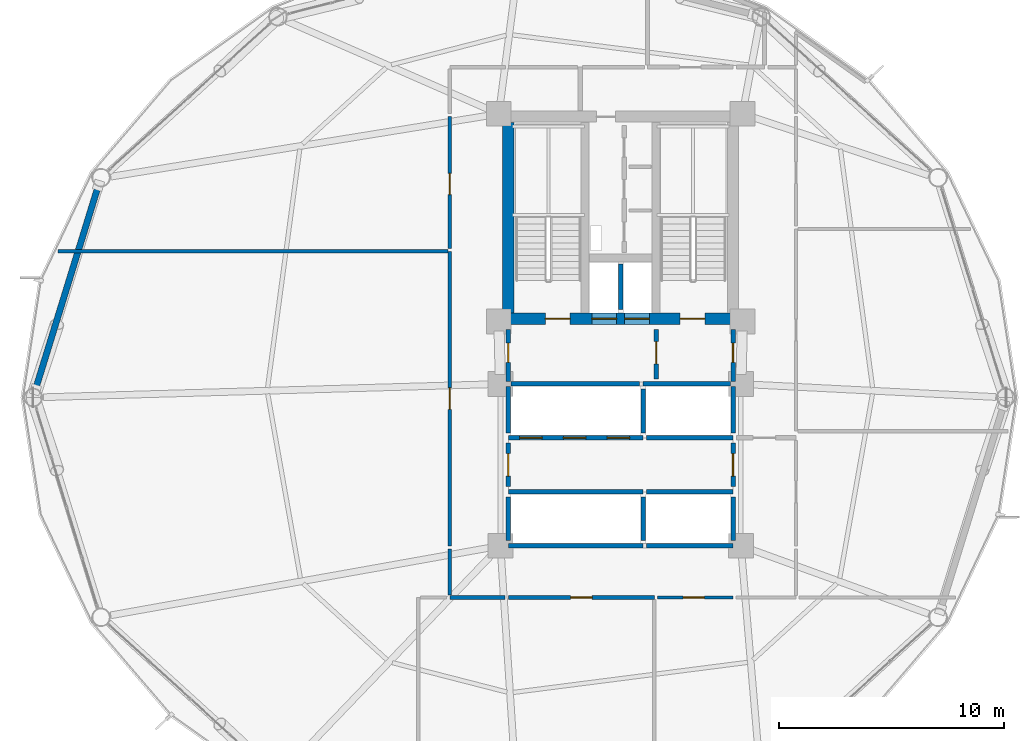
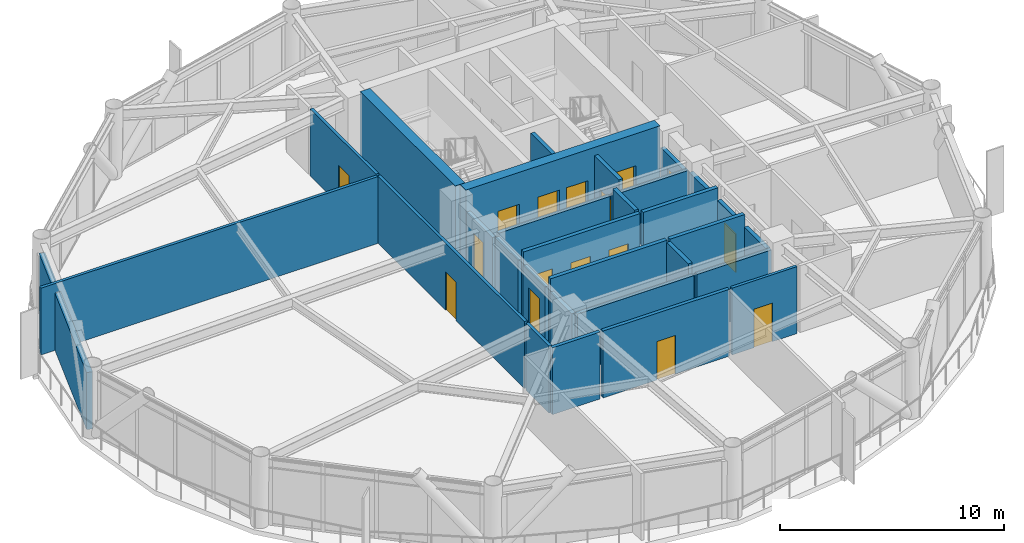
# One storey, part 20 of 25: 30 walls, 16 doors, 16 openings.
"""IFC4 building model written with IfcOpenShell, lengths in metres."""

from ifc_helpers import new_model, si_unit, direction, frame, frame_2d, origin, place, context, subcontext, project, spatial, rectangle, extrude, material, layer, layer_set, type_object, element, fill, save


model = new_model("IFC4")

# Units and contexts
model_context = context("Model", 3, precision=1e-05, world=origin(), true_north=direction((0.0, 1.0)))
body_context = subcontext(model_context, "Body", "Model", "MODEL_VIEW")
ifc_project = project(units=[si_unit("LENGTHUNIT", "METRE"), si_unit("AREAUNIT", "SQUARE_METRE"), si_unit("VOLUMEUNIT", "CUBIC_METRE"), si_unit("PLANEANGLEUNIT", "RADIAN"), si_unit("MASSUNIT", "GRAM", prefix="KILO")], contexts=[model_context])

# Site, building, storey
site_placement = place(None, origin())
site = spatial("IfcSite", under=ifc_project, at=site_placement, CompositionType="ELEMENT")
building_placement = place(site_placement, origin())
building = spatial("IfcBuilding", under=site, at=building_placement, Name="Varnakorn Sky Granary", CompositionType="ELEMENT")
storey_placement = place(building_placement, frame((0.0, 0.0, 99.300048828125)))
storey = spatial("IfcBuildingStorey", under=building, at=storey_placement, Name="L24", CompositionType="ELEMENT", Elevation=99.300048828125)

# Wall, openings, doors
ifc_material_1 = material(Name="Concrete C60/75", Category="concrete")
ifc_layer_1 = layer(ifc_material_1, 0.5, Name="Concrete C60/75")
ifc_layer_set_1 = layer_set([ifc_layer_1], Name="Concrete C60/75")
wall_type_1 = type_object("IfcWallType", Name="WT-CW-SHEAR-500", PredefinedType="SHEAR", material=ifc_layer_set_1)
wall_1_placement = place(storey_placement, frame((-2.0, 3.5, 0.0), z_axis=(0.0, 0.0, 1.0), x_axis=(1.0, 0.0, 0.0)))
wall_1 = element("IfcWall", 1, at=wall_1_placement, inside=storey, type_object=wall_type_1, Name="Core South Shear Wall L24", PredefinedType="SHEAR", context=body_context, shape_type="SweptSolid", body=[
    extrude(rectangle(XDim=10.0, YDim=0.5, at=frame_2d((5.0, 0.0))), origin(), (0.0, 0.0, 1.0), 3.891845703125),
])
opening_1_placement = place(wall_1_placement, frame((1.64990234375, 0.0, 0.0)))
opening_1 = element("IfcOpeningElement", 2, at=opening_1_placement, cuts=wall_1, Name="Opening FD-90", PredefinedType="OPENING", context=body_context, shape_type="SweptSolid", body=[
    extrude(rectangle(XDim=1.10009765625, YDim=2.14990234375, at=frame_2d((0.550048828125, 1.074951171875))), frame((0.0, 0.260009765625, 0.0), z_axis=(0.0, -1.0, 0.0), x_axis=(1.0, 0.0, 0.0)), (0.0, 0.0, 1.0), 0.52001953125),
])
opening_2_placement = place(wall_1_placement, frame((7.64990234375, 0.0, 0.0)))
opening_2 = element("IfcOpeningElement", 3, at=opening_2_placement, cuts=wall_1, Name="Opening FD-90", PredefinedType="OPENING", context=body_context, shape_type="SweptSolid", body=[
    extrude(rectangle(XDim=1.10009765625, YDim=2.14990234375, at=frame_2d((0.550048828125, 1.074951171875))), frame((0.0, 0.260009765625, 0.0), z_axis=(0.0, -1.0, 0.0), x_axis=(1.0, 0.0, 0.0)), (0.0, 0.0, 1.0), 0.52001953125),
])
opening_3_placement = place(wall_1_placement, frame((3.719970703125, 0.0, 0.0)))
opening_3 = element("IfcOpeningElement", 4, at=opening_3_placement, cuts=wall_1, Name="Opening LD-01", PredefinedType="OPENING", context=body_context, shape_type="SweptSolid", body=[
    extrude(rectangle(XDim=1.10009765625, YDim=2.199951171875, at=frame_2d((0.550048828125, 1.10009765625))), frame((0.0, 0.260009765625, 0.0), z_axis=(0.0, -1.0, 0.0), x_axis=(1.0, 0.0, 0.0)), (0.0, 0.0, 1.0), 0.52001953125),
])
opening_4_placement = place(wall_1_placement, frame((5.179931640625, 0.0, 0.0)))
opening_4 = element("IfcOpeningElement", 5, at=opening_4_placement, cuts=wall_1, Name="Opening LD-01", PredefinedType="OPENING", context=body_context, shape_type="SweptSolid", body=[
    extrude(rectangle(XDim=1.10009765625, YDim=2.199951171875, at=frame_2d((0.550048828125, 1.10009765625))), frame((0.0, 0.260009765625, 0.0), z_axis=(0.0, -1.0, 0.0), x_axis=(1.0, 0.0, 0.0)), (0.0, 0.0, 1.0), 0.52001953125),
])
ifc_material_2 = material(Name="Brushed Bronze Stainless Steel", Category="steel")
door_type_1 = type_object("IfcDoorType", Name="DR-LD-1100", OperationType="DOUBLE_DOOR_SLIDING", PredefinedType="DOOR", material=ifc_material_2)
door_1_placement = place(opening_3_placement, origin())
door_1 = element("IfcDoor", 6, at=door_1_placement, inside=storey, type_object=door_type_1, Name="Firefighting Lift FFL-1 Landing Door L24", OperationType="DOUBLE_DOOR_SLIDING", OverallHeight=2.199951171875, OverallWidth=1.10009765625, PredefinedType="DOOR", context=body_context, shape_type="SweptSolid", body=[
    extrude(rectangle(XDim=1.10009765625, YDim=2.199951171875, at=frame_2d((0.550048828125, 1.10009765625))), frame((0.0, 0.02490234375, 0.0), z_axis=(0.0, -1.0, 0.0), x_axis=(1.0, 0.0, 0.0)), (0.0, 0.0, 1.0), 0.050048828125),
])
fill(opening_3, door_1)
door_2_placement = place(opening_4_placement, origin())
door_2 = element("IfcDoor", 7, at=door_2_placement, inside=storey, type_object=door_type_1, Name="Firefighting Lift FFL-2 Landing Door L24", OperationType="DOUBLE_DOOR_SLIDING", OverallHeight=2.199951171875, OverallWidth=1.10009765625, PredefinedType="DOOR", context=body_context, shape_type="SweptSolid", body=[
    extrude(rectangle(XDim=1.10009765625, YDim=2.199951171875, at=frame_2d((0.550048828125, 1.10009765625))), frame((0.0, 0.02490234375, 0.0), z_axis=(0.0, -1.0, 0.0), x_axis=(1.0, 0.0, 0.0)), (0.0, 0.0, 1.0), 0.050048828125),
])
fill(opening_4, door_2)
ifc_material_3 = material(Name="Galvanised Painted Steel Leaf", Category="steel")
door_type_2 = type_object("IfcDoorType", Name="DR-STAIR-1100", OperationType="NOTDEFINED", PredefinedType="DOOR", material=ifc_material_3)
door_3_placement = place(opening_1_placement, origin())
door_3 = element("IfcDoor", 8, at=door_3_placement, inside=storey, type_object=door_type_2, Name="Stair ST-1 Protected Fire Door L24", OperationType="SINGLE_SWING_LEFT", OverallHeight=2.14990234375, OverallWidth=1.10009765625, PredefinedType="DOOR", context=body_context, shape_type="SweptSolid", body=[
    extrude(rectangle(XDim=1.10009765625, YDim=2.14990234375, at=frame_2d((0.550048828125, 1.074951171875))), frame((0.0, 0.02490234375, 0.0), z_axis=(0.0, -1.0, 0.0), x_axis=(1.0, 0.0, 0.0)), (0.0, 0.0, 1.0), 0.050048828125),
])
fill(opening_1, door_3)
door_4_placement = place(opening_2_placement, origin())
door_4 = element("IfcDoor", 9, at=door_4_placement, inside=storey, type_object=door_type_2, Name="Stair ST-2 Protected Fire Door L24", OperationType="SINGLE_SWING_RIGHT", OverallHeight=2.14990234375, OverallWidth=1.10009765625, PredefinedType="DOOR", context=body_context, shape_type="SweptSolid", body=[
    extrude(rectangle(XDim=1.10009765625, YDim=2.14990234375, at=frame_2d((0.550048828125, 1.074951171875))), frame((0.0, 0.02490234375, 0.0), z_axis=(0.0, -1.0, 0.0), x_axis=(1.0, 0.0, 0.0)), (0.0, 0.0, 1.0), 0.050048828125),
])
fill(opening_2, door_4)

# Walls
wall_2_placement = place(storey_placement, frame((-2.0, 3.760009765625, 0.0), z_axis=(0.0, 0.0, 1.0), x_axis=(0.0, 1.0, 0.0)))
element("IfcWall", 10, at=wall_2_placement, inside=storey, type_object=wall_type_1, Name="Core West Shear Wall L24", PredefinedType="SHEAR", context=body_context, shape_type="SweptSolid", body=[
    extrude(rectangle(XDim=8.47998046875, YDim=0.5, at=frame_2d((4.239990234375, 0.0))), origin(), (0.0, 0.0, 1.0), 3.891845703125),
])
ifc_material_4 = material(Name="Precast concrete C40/50", Category="concrete")
ifc_layer_2 = layer(ifc_material_4, 0.280029296875, Name="Precast concrete C40/50")
ifc_layer_set_2 = layer_set([ifc_layer_2], Name="Precast concrete C40/50")
wall_type_2 = type_object("IfcWallType", Name="WT-EW-CRN-280", PredefinedType="SOLIDWALL", material=ifc_layer_set_2)
wall_3_placement = place(storey_placement, frame((-23.04345703125, 0.345458984375, 0.0), z_axis=(0.0, 0.0, 1.0), x_axis=(0.294660809145, 0.955601908513, 0.0)))
element("IfcWall", 11, at=wall_3_placement, inside=storey, type_object=wall_type_2, Name="Agritech Insulated Precast Facade Wall L24-P06", PredefinedType="SOLIDWALL", context=body_context, shape_type="SweptSolid", body=[
    extrude(rectangle(XDim=9.517578125, YDim=0.280029296875, at=frame_2d((4.7587890625, 0.0))), origin(), (0.0, 0.0, 1.0), 3.10986328125),
])

# Wall, opening, door
ifc_material_5 = material(Name="Autoclaved Aerated Concrete Blockwork", Category="masonry")
ifc_layer_3 = layer(ifc_material_5, 0.199951171875, Name="Autoclaved Aerated Concrete Blockwork")
ifc_layer_set_3 = layer_set([ifc_layer_3], Name="Autoclaved Aerated Concrete Blockwork")
wall_type_3 = type_object("IfcWallType", Name="WT-FIRE-200", PredefinedType="MOVABLE", material=ifc_layer_set_3)
wall_4_placement = place(storey_placement, frame((4.580078125, 0.830078125, 0.0), z_axis=(0.0, 0.0, 1.0), x_axis=(0.0, 1.0, 0.0)))
wall_4 = element("IfcWall", 12, at=wall_4_placement, inside=storey, type_object=wall_type_3, Name="Interior Partition Wall L24-016", PredefinedType="MOVABLE", context=body_context, shape_type="SweptSolid", body=[
    extrude(rectangle(XDim=2.18994140625, YDim=0.199951171875, at=frame_2d((1.094970703125, 0.0))), origin(), (0.0, 0.0, 1.0), 3.639892578125),
])
opening_5_placement = place(wall_4_placement, frame((0.659912109375, 0.0, 0.0)))
opening_5 = element("IfcOpeningElement", 13, at=opening_5_placement, cuts=wall_4, Name="Opening FD-60", PredefinedType="OPENING", context=body_context, shape_type="SweptSolid", body=[
    extrude(rectangle(XDim=1.0, YDim=2.10009765625, at=frame_2d((0.5, 1.050048828125))), frame((0.0, 0.10986328125, 0.0), z_axis=(0.0, -1.0, 0.0), x_axis=(1.0, 0.0, 0.0)), (0.0, 0.0, 1.0), 0.219970703125),
])
ifc_material_6 = material(Name="Acoustic Timber Fire Leaf", Category="wood")
door_type_3 = type_object("IfcDoorType", Name="DR-FD60-1000", OperationType="NOTDEFINED", PredefinedType="DOOR", material=ifc_material_6)
door_5_placement = place(opening_5_placement, origin())
door_5 = element("IfcDoor", 14, at=door_5_placement, inside=storey, type_object=door_type_3, Name="Interior Door L24-016-1", OperationType="SINGLE_SWING_RIGHT", OverallHeight=2.10009765625, OverallWidth=1.0, PredefinedType="DOOR", context=body_context, shape_type="SweptSolid", body=[
    extrude(rectangle(XDim=1.0, YDim=2.10009765625, at=frame_2d((0.5, 1.050048828125))), frame((0.0, 0.02490234375, 0.0), z_axis=(0.0, -1.0, 0.0), x_axis=(1.0, 0.0, 0.0)), (0.0, 0.0, 1.0), 0.050048828125),
])
fill(opening_5, door_5)

wall_5_placement = place(storey_placement, frame((-2.0, 0.719970703125, 0.0), z_axis=(0.0, 0.0, 1.0), x_axis=(0.0, 1.0, 0.0)))
wall_5 = element("IfcWall", 15, at=wall_5_placement, inside=storey, type_object=wall_type_3, Name="Interior Partition Wall L24-017", PredefinedType="MOVABLE", context=body_context, shape_type="SweptSolid", body=[
    extrude(rectangle(XDim=2.300048828125, YDim=0.199951171875, at=frame_2d((1.14990234375, 0.0))), origin(), (0.0, 0.0, 1.0), 2.8720703125),
])
opening_6_placement = place(wall_5_placement, frame((0.844970703125, 0.0, 0.0)))
opening_6 = element("IfcOpeningElement", 16, at=opening_6_placement, cuts=wall_5, Name="Opening FD-60N", PredefinedType="OPENING", context=body_context, shape_type="SweptSolid", body=[
    extrude(rectangle(XDim=0.85009765625, YDim=2.10009765625, at=frame_2d((0.425048828125, 1.050048828125))), frame((0.0, 0.10986328125, 0.0), z_axis=(0.0, -1.0, 0.0), x_axis=(1.0, 0.0, 0.0)), (0.0, 0.0, 1.0), 0.219970703125),
])
door_type_4 = type_object("IfcDoorType", Name="DR-FD60-850", OperationType="NOTDEFINED", PredefinedType="DOOR", material=ifc_material_6)
door_6_placement = place(opening_6_placement, origin())
door_6 = element("IfcDoor", 17, at=door_6_placement, inside=storey, type_object=door_type_4, Name="Interior Door L24-017-1", OperationType="SINGLE_SWING_LEFT", OverallHeight=2.10009765625, OverallWidth=0.85009765625, PredefinedType="DOOR", context=body_context, shape_type="SweptSolid", body=[
    extrude(rectangle(XDim=0.85009765625, YDim=2.10009765625, at=frame_2d((0.425048828125, 1.050048828125))), frame((0.0, 0.02490234375, 0.0), z_axis=(0.0, -1.0, 0.0), x_axis=(1.0, 0.0, 0.0)), (0.0, 0.0, 1.0), 0.050048828125),
])
fill(opening_6, door_6)

wall_6_placement = place(storey_placement, frame((8.0, 0.719970703125, 0.0), z_axis=(0.0, 0.0, 1.0), x_axis=(0.0, 1.0, 0.0)))
wall_6 = element("IfcWall", 18, at=wall_6_placement, inside=storey, type_object=wall_type_3, Name="Interior Partition Wall L24-018", PredefinedType="MOVABLE", context=body_context, shape_type="SweptSolid", body=[
    extrude(rectangle(XDim=2.300048828125, YDim=0.199951171875, at=frame_2d((1.14990234375, 0.0))), origin(), (0.0, 0.0, 1.0), 2.8720703125),
])
opening_7_placement = place(wall_6_placement, frame((0.844970703125, 0.0, 0.0)))
opening_7 = element("IfcOpeningElement", 19, at=opening_7_placement, cuts=wall_6, Name="Opening FD-60N", PredefinedType="OPENING", context=body_context, shape_type="SweptSolid", body=[
    extrude(rectangle(XDim=0.85009765625, YDim=2.10009765625, at=frame_2d((0.425048828125, 1.050048828125))), frame((0.0, 0.10986328125, 0.0), z_axis=(0.0, -1.0, 0.0), x_axis=(1.0, 0.0, 0.0)), (0.0, 0.0, 1.0), 0.219970703125),
])
door_7_placement = place(opening_7_placement, origin())
door_7 = element("IfcDoor", 20, at=door_7_placement, inside=storey, type_object=door_type_4, Name="Interior Door L24-018-1", OperationType="SINGLE_SWING_RIGHT", OverallHeight=2.10009765625, OverallWidth=0.85009765625, PredefinedType="DOOR", context=body_context, shape_type="SweptSolid", body=[
    extrude(rectangle(XDim=0.85009765625, YDim=2.10009765625, at=frame_2d((0.425048828125, 1.050048828125))), frame((0.0, 0.02490234375, 0.0), z_axis=(0.0, -1.0, 0.0), x_axis=(1.0, 0.0, 0.0)), (0.0, 0.0, 1.0), 0.050048828125),
])
fill(opening_7, door_7)

wall_7_placement = place(storey_placement, frame((-2.0, -3.969970703125, 0.0), z_axis=(0.0, 0.0, 1.0), x_axis=(0.0, 1.0, 0.0)))
wall_7 = element("IfcWall", 21, at=wall_7_placement, inside=storey, type_object=wall_type_3, Name="Interior Partition Wall L24-019", PredefinedType="MOVABLE", context=body_context, shape_type="SweptSolid", body=[
    extrude(rectangle(XDim=1.93994140625, YDim=0.199951171875, at=frame_2d((0.969970703125, 0.0))), origin(), (0.0, 0.0, 1.0), 3.02197265625),
])
opening_8_placement = place(wall_7_placement, frame((0.469970703125, 0.0, 0.0)))
opening_8 = element("IfcOpeningElement", 22, at=opening_8_placement, cuts=wall_7, Name="Opening FD-60", PredefinedType="OPENING", context=body_context, shape_type="SweptSolid", body=[
    extrude(rectangle(XDim=1.0, YDim=2.10009765625, at=frame_2d((0.5, 1.050048828125))), frame((0.0, 0.10986328125, 0.0), z_axis=(0.0, -1.0, 0.0), x_axis=(1.0, 0.0, 0.0)), (0.0, 0.0, 1.0), 0.219970703125),
])
door_8_placement = place(opening_8_placement, origin())
door_8 = element("IfcDoor", 23, at=door_8_placement, inside=storey, type_object=door_type_3, Name="Interior Door L24-019-1", OperationType="SINGLE_SWING_LEFT", OverallHeight=2.10009765625, OverallWidth=1.0, PredefinedType="DOOR", context=body_context, shape_type="SweptSolid", body=[
    extrude(rectangle(XDim=1.0, YDim=2.10009765625, at=frame_2d((0.5, 1.050048828125))), frame((0.0, 0.02490234375, 0.0), z_axis=(0.0, -1.0, 0.0), x_axis=(1.0, 0.0, 0.0)), (0.0, 0.0, 1.0), 0.050048828125),
])
fill(opening_8, door_8)

wall_8_placement = place(storey_placement, frame((8.0, -3.969970703125, 0.0), z_axis=(0.0, 0.0, 1.0), x_axis=(0.0, 1.0, 0.0)))
wall_8 = element("IfcWall", 24, at=wall_8_placement, inside=storey, type_object=wall_type_3, Name="Interior Partition Wall L24-020", PredefinedType="MOVABLE", context=body_context, shape_type="SweptSolid", body=[
    extrude(rectangle(XDim=1.93994140625, YDim=0.199951171875, at=frame_2d((0.969970703125, 0.0))), origin(), (0.0, 0.0, 1.0), 3.072021484375),
])
opening_9_placement = place(wall_8_placement, frame((0.469970703125, 0.0, 0.0)))
opening_9 = element("IfcOpeningElement", 25, at=opening_9_placement, cuts=wall_8, Name="Opening FD-60", PredefinedType="OPENING", context=body_context, shape_type="SweptSolid", body=[
    extrude(rectangle(XDim=1.0, YDim=2.10009765625, at=frame_2d((0.5, 1.050048828125))), frame((0.0, 0.10986328125, 0.0), z_axis=(0.0, -1.0, 0.0), x_axis=(1.0, 0.0, 0.0)), (0.0, 0.0, 1.0), 0.219970703125),
])
door_9_placement = place(opening_9_placement, origin())
door_9 = element("IfcDoor", 26, at=door_9_placement, inside=storey, type_object=door_type_3, Name="Interior Door L24-020-1", OperationType="SINGLE_SWING_RIGHT", OverallHeight=2.10009765625, OverallWidth=1.0, PredefinedType="DOOR", context=body_context, shape_type="SweptSolid", body=[
    extrude(rectangle(XDim=1.0, YDim=2.10009765625, at=frame_2d((0.5, 1.050048828125))), frame((0.0, 0.02490234375, 0.0), z_axis=(0.0, -1.0, 0.0), x_axis=(1.0, 0.0, 0.0)), (0.0, 0.0, 1.0), 0.050048828125),
])
fill(opening_9, door_9)

# Wall
wall_9_placement = place(storey_placement, frame((-1.8798828125, 0.60009765625, 0.0), z_axis=(0.0, 0.0, 1.0), x_axis=(1.0, 0.0, 0.0)))
element("IfcWall", 27, at=wall_9_placement, inside=storey, type_object=wall_type_3, Name="Interior Partition Wall L24-032", PredefinedType="MOVABLE", context=body_context, shape_type="SweptSolid", body=[
    extrude(rectangle(XDim=5.719970703125, YDim=0.199951171875, at=frame_2d((2.85986328125, 0.0))), origin(), (0.0, 0.0, 1.0), 3.171875),
])

# Wall, opening, door
ifc_material_7 = material(Name="Gypsum Plasterboard on Steel Stud", Category="steel")
ifc_layer_4 = layer(ifc_material_7, 0.14990234375, Name="Gypsum Plasterboard on Steel Stud")
ifc_layer_set_4 = layer_set([ifc_layer_4], Name="Gypsum Plasterboard on Steel Stud")
wall_type_4 = type_object("IfcWallType", Name="WT-PART-150", PredefinedType="PARTITIONING", material=ifc_layer_set_4)
wall_10_placement = place(storey_placement, frame((4.64990234375, -8.89990234375, 0.0), z_axis=(0.0, 0.0, 1.0), x_axis=(1.0, 0.0, 0.0)))
wall_10 = element("IfcWall", 28, at=wall_10_placement, inside=storey, type_object=wall_type_4, Name="Interior Partition Wall L24-024", PredefinedType="PARTITIONING", context=body_context, shape_type="SweptSolid", body=[
    extrude(rectangle(XDim=3.35009765625, YDim=0.14990234375, at=frame_2d((1.675048828125, 0.0))), origin(), (0.0, 0.0, 1.0), 3.639892578125),
])
opening_10_placement = place(wall_10_placement, frame((1.125, 0.0, 0.0)))
opening_10 = element("IfcOpeningElement", 29, at=opening_10_placement, cuts=wall_10, Name="Opening ID-95", PredefinedType="OPENING", context=body_context, shape_type="SweptSolid", body=[
    extrude(rectangle(XDim=0.949951171875, YDim=2.10009765625, at=frame_2d((0.47509765625, 1.050048828125))), frame((0.0, 0.0849609375, 0.0), z_axis=(0.0, -1.0, 0.0), x_axis=(1.0, 0.0, 0.0)), (0.0, 0.0, 1.0), 0.169921875),
])
ifc_material_8 = material(Name="Solid-Core Teak Veneer Leaf", Category="timber")
door_type_5 = type_object("IfcDoorType", Name="DR-INT-950", OperationType="NOTDEFINED", PredefinedType="DOOR", material=ifc_material_8)
door_10_placement = place(opening_10_placement, origin())
door_10 = element("IfcDoor", 30, at=door_10_placement, inside=storey, type_object=door_type_5, Name="Interior Door L24-024-1", OperationType="SINGLE_SWING_RIGHT", OverallHeight=2.10009765625, OverallWidth=0.949951171875, PredefinedType="DOOR", context=body_context, shape_type="SweptSolid", body=[
    extrude(rectangle(XDim=0.949951171875, YDim=2.10009765625, at=frame_2d((0.47509765625, 1.050048828125))), frame((0.0, 0.02490234375, 0.0), z_axis=(0.0, -1.0, 0.0), x_axis=(1.0, 0.0, 0.0)), (0.0, 0.0, 1.0), 0.050048828125),
])
fill(opening_10, door_10)

wall_11_placement = place(storey_placement, frame((-4.60009765625, 6.5, 0.0), z_axis=(0.0, 0.0, 1.0), x_axis=(0.0, -1.0, 0.0)))
wall_11 = element("IfcWall", 31, at=wall_11_placement, inside=storey, type_object=wall_type_4, Name="Interior Partition Wall L24-025", PredefinedType="PARTITIONING", context=body_context, shape_type="SweptSolid", body=[
    extrude(rectangle(XDim=13.10009765625, YDim=0.14990234375, at=frame_2d((6.550048828125, 0.0))), origin(), (0.0, 0.0, 1.0), 3.639892578125),
])
opening_11_placement = place(wall_11_placement, frame((6.074951171875, 0.0, 0.0)))
opening_11 = element("IfcOpeningElement", 32, at=opening_11_placement, cuts=wall_11, Name="Opening ID-95", PredefinedType="OPENING", context=body_context, shape_type="SweptSolid", body=[
    extrude(rectangle(XDim=0.949951171875, YDim=2.10009765625, at=frame_2d((0.47509765625, 1.050048828125))), frame((0.0, 0.0849609375, 0.0), z_axis=(0.0, -1.0, 0.0), x_axis=(1.0, 0.0, 0.0)), (0.0, 0.0, 1.0), 0.169921875),
])
door_11_placement = place(opening_11_placement, origin())
door_11 = element("IfcDoor", 33, at=door_11_placement, inside=storey, type_object=door_type_5, Name="Interior Door L24-025-1", OperationType="SINGLE_SWING_LEFT", OverallHeight=2.10009765625, OverallWidth=0.949951171875, PredefinedType="DOOR", context=body_context, shape_type="SweptSolid", body=[
    extrude(rectangle(XDim=0.949951171875, YDim=2.10009765625, at=frame_2d((0.47509765625, 1.050048828125))), frame((0.0, 0.02490234375, 0.0), z_axis=(0.0, -1.0, 0.0), x_axis=(1.0, 0.0, 0.0)), (0.0, 0.0, 1.0), 0.050048828125),
])
fill(opening_11, door_11)

wall_12_placement = place(storey_placement, frame((-4.60009765625, 12.5, 0.0), z_axis=(0.0, 0.0, 1.0), x_axis=(0.0, -1.0, 0.0)))
wall_12 = element("IfcWall", 34, at=wall_12_placement, inside=storey, type_object=wall_type_4, Name="Interior Partition Wall L24-026", PredefinedType="PARTITIONING", context=body_context, shape_type="SweptSolid", body=[
    extrude(rectangle(XDim=5.864990234375, YDim=0.14990234375, at=frame_2d((2.9326171875, 0.0))), origin(), (0.0, 0.0, 1.0), 3.639892578125),
])
opening_12_placement = place(wall_12_placement, frame((2.52490234375, 0.0, 0.0)))
opening_12 = element("IfcOpeningElement", 35, at=opening_12_placement, cuts=wall_12, Name="Opening ID-95", PredefinedType="OPENING", context=body_context, shape_type="SweptSolid", body=[
    extrude(rectangle(XDim=0.949951171875, YDim=2.10009765625, at=frame_2d((0.47509765625, 1.050048828125))), frame((0.0, 0.0849609375, 0.0), z_axis=(0.0, -1.0, 0.0), x_axis=(1.0, 0.0, 0.0)), (0.0, 0.0, 1.0), 0.169921875),
])
door_12_placement = place(opening_12_placement, origin())
door_12 = element("IfcDoor", 36, at=door_12_placement, inside=storey, type_object=door_type_5, Name="Interior Door L24-026-1", OperationType="SINGLE_SWING_RIGHT", OverallHeight=2.10009765625, OverallWidth=0.949951171875, PredefinedType="DOOR", context=body_context, shape_type="SweptSolid", body=[
    extrude(rectangle(XDim=0.949951171875, YDim=2.10009765625, at=frame_2d((0.47509765625, 1.050048828125))), frame((0.0, 0.02490234375, 0.0), z_axis=(0.0, -1.0, 0.0), x_axis=(1.0, 0.0, 0.0)), (0.0, 0.0, 1.0), 0.050048828125),
])
fill(opening_12, door_12)

# Walls
wall_13_placement = place(storey_placement, frame((-4.60009765625, -6.735107421875, 0.0), z_axis=(0.0, 0.0, 1.0), x_axis=(0.0, -1.0, 0.0)))
element("IfcWall", 37, at=wall_13_placement, inside=storey, type_object=wall_type_4, Name="Interior Partition Wall L24-041", PredefinedType="PARTITIONING", context=body_context, shape_type="SweptSolid", body=[
    extrude(rectangle(XDim=2.06494140625, YDim=0.14990234375, at=frame_2d((1.032470703125, 0.0))), origin(), (0.0, 0.0, 1.0), 3.639892578125),
])
wall_14_placement = place(storey_placement, frame((-22.035888671875, 6.5, 0.0), z_axis=(0.0, 0.0, 1.0), x_axis=(1.0, 0.0, 0.0)))
element("IfcWall", 38, at=wall_14_placement, inside=storey, type_object=wall_type_4, Name="Interior Partition Wall L24-042", PredefinedType="PARTITIONING", context=body_context, shape_type="SweptSolid", body=[
    extrude(rectangle(XDim=17.350830078125, YDim=0.14990234375, at=frame_2d((8.67529296875, 0.0))), origin(), (0.0, 0.0, 1.0), 3.639892578125),
])

# Wall, opening, door
ifc_material_9 = material(Name="Moisture-Resistant Gypsum on Stud", Category="gypsum")
ifc_layer_5 = layer(ifc_material_9, 0.179931640625, Name="Moisture-Resistant Gypsum on Stud")
ifc_layer_set_5 = layer_set([ifc_layer_5], Name="Moisture-Resistant Gypsum on Stud")
wall_type_5 = type_object("IfcWallType", Name="WT-PLUMB-180", PredefinedType="PLUMBINGWALL", material=ifc_layer_set_5)
wall_15_placement = place(storey_placement, frame((-2.0, -8.89990234375, 0.0), z_axis=(0.0, 0.0, 1.0), x_axis=(1.0, 0.0, 0.0)))
wall_15 = element("IfcWall", 39, at=wall_15_placement, inside=storey, type_object=wall_type_5, Name="Interior Partition Wall L24-023", PredefinedType="PLUMBINGWALL", context=body_context, shape_type="SweptSolid", body=[
    extrude(rectangle(XDim=6.5, YDim=0.179931640625, at=frame_2d((3.25, 0.0))), origin(), (0.0, 0.0, 1.0), 3.639892578125),
])
opening_13_placement = place(wall_15_placement, frame((2.77490234375, 0.0, 0.0)))
opening_13 = element("IfcOpeningElement", 40, at=opening_13_placement, cuts=wall_15, Name="Opening ID-95", PredefinedType="OPENING", context=body_context, shape_type="SweptSolid", body=[
    extrude(rectangle(XDim=0.949951171875, YDim=2.10009765625, at=frame_2d((0.47509765625, 1.050048828125))), frame((0.0, 0.10009765625, 0.0), z_axis=(0.0, -1.0, 0.0), x_axis=(1.0, 0.0, 0.0)), (0.0, 0.0, 1.0), 0.199951171875),
])
door_13_placement = place(opening_13_placement, origin())
door_13 = element("IfcDoor", 41, at=door_13_placement, inside=storey, type_object=door_type_5, Name="Interior Door L24-023-1", OperationType="SINGLE_SWING_LEFT", OverallHeight=2.10009765625, OverallWidth=0.949951171875, PredefinedType="DOOR", context=body_context, shape_type="SweptSolid", body=[
    extrude(rectangle(XDim=0.949951171875, YDim=2.10009765625, at=frame_2d((0.47509765625, 1.050048828125))), frame((0.0, 0.02490234375, 0.0), z_axis=(0.0, -1.0, 0.0), x_axis=(1.0, 0.0, 0.0)), (0.0, 0.0, 1.0), 0.050048828125),
])
fill(opening_13, door_13)

# Walls
wall_16_placement = place(storey_placement, frame((-4.60009765625, -8.89990234375, 0.0), z_axis=(0.0, 0.0, 1.0), x_axis=(1.0, 0.0, 0.0)))
element("IfcWall", 42, at=wall_16_placement, inside=storey, type_object=wall_type_5, Name="Interior Partition Wall L24-035", PredefinedType="PLUMBINGWALL", context=body_context, shape_type="SweptSolid", body=[
    extrude(rectangle(XDim=2.4501953125, YDim=0.179931640625, at=frame_2d((1.22509765625, 0.0))), origin(), (0.0, 0.0, 1.0), 3.639892578125),
])
ifc_layer_6 = layer(ifc_material_5, 0.199951171875, Name="Autoclaved Aerated Concrete Blockwork")
ifc_layer_set_6 = layer_set([ifc_layer_6], Name="Autoclaved Aerated Concrete Blockwork")
wall_type_6 = type_object("IfcWallType", Name="WT-SHAFT-200", PredefinedType="SOLIDWALL", material=ifc_layer_set_6)
wall_17_placement = place(storey_placement, frame((3.0, 3.919921875, 0.0), z_axis=(0.0, 0.0, 1.0), x_axis=(0.0, 1.0, 0.0)))
element("IfcWall", 43, at=wall_17_placement, inside=storey, type_object=wall_type_6, Name="Interior Partition Wall L24-001", PredefinedType="SOLIDWALL", context=body_context, shape_type="SweptSolid", body=[
    extrude(rectangle(XDim=2.030029296875, YDim=0.199951171875, at=frame_2d((1.01513671875, 0.0))), origin(), (0.0, 0.0, 1.0), 3.639892578125),
])
wall_18_placement = place(storey_placement, frame((4.0, 0.60009765625, 0.0), z_axis=(0.0, 0.0, 1.0), x_axis=(1.0, 0.0, 0.0)))
element("IfcWall", 44, at=wall_18_placement, inside=storey, type_object=wall_type_6, Name="Interior Partition Wall L24-002", PredefinedType="SOLIDWALL", context=body_context, shape_type="SweptSolid", body=[
    extrude(rectangle(XDim=3.8798828125, YDim=0.199951171875, at=frame_2d((1.93994140625, 0.0))), origin(), (0.0, 0.0, 1.0), 3.171875),
])

# Wall, openings, doors
wall_19_placement = place(storey_placement, frame((-2.0, -1.800048828125, 0.0), z_axis=(0.0, 0.0, 1.0), x_axis=(1.0, 0.0, 0.0)))
wall_19 = element("IfcWall", 45, at=wall_19_placement, inside=storey, type_object=wall_type_6, Name="Interior Partition Wall L24-003", PredefinedType="SOLIDWALL", context=body_context, shape_type="SweptSolid", body=[
    extrude(rectangle(XDim=6.0, YDim=0.199951171875, at=frame_2d((3.0, 0.0))), origin(), (0.0, 0.0, 1.0), 3.639892578125),
])
opening_14_placement = place(wall_19_placement, frame((0.5, 0.0, 0.0)))
opening_14 = element("IfcOpeningElement", 46, at=opening_14_placement, cuts=wall_19, Name="Opening LD-03", PredefinedType="OPENING", context=body_context, shape_type="SweptSolid", body=[
    extrude(rectangle(XDim=1.0, YDim=2.199951171875, at=frame_2d((0.5, 1.10009765625))), frame((0.0, 0.10986328125, 0.0), z_axis=(0.0, -1.0, 0.0), x_axis=(1.0, 0.0, 0.0)), (0.0, 0.0, 1.0), 0.219970703125),
])
opening_15_placement = place(wall_19_placement, frame((2.449951171875, 0.0, 0.0)))
opening_15 = element("IfcOpeningElement", 47, at=opening_15_placement, cuts=wall_19, Name="Opening LD-03", PredefinedType="OPENING", context=body_context, shape_type="SweptSolid", body=[
    extrude(rectangle(XDim=1.0, YDim=2.199951171875, at=frame_2d((0.5, 1.10009765625))), frame((0.0, 0.10986328125, 0.0), z_axis=(0.0, -1.0, 0.0), x_axis=(1.0, 0.0, 0.0)), (0.0, 0.0, 1.0), 0.219970703125),
])
opening_16_placement = place(wall_19_placement, frame((4.39990234375, 0.0, 0.0)))
opening_16 = element("IfcOpeningElement", 48, at=opening_16_placement, cuts=wall_19, Name="Opening LD-03", PredefinedType="OPENING", context=body_context, shape_type="SweptSolid", body=[
    extrude(rectangle(XDim=1.0, YDim=2.199951171875, at=frame_2d((0.5, 1.10009765625))), frame((0.0, 0.10986328125, 0.0), z_axis=(0.0, -1.0, 0.0), x_axis=(1.0, 0.0, 0.0)), (0.0, 0.0, 1.0), 0.219970703125),
])
door_type_6 = type_object("IfcDoorType", Name="DR-LD-1000", OperationType="DOUBLE_DOOR_SLIDING", PredefinedType="DOOR", material=ifc_material_2)
door_14_placement = place(opening_14_placement, origin())
door_14 = element("IfcDoor", 49, at=door_14_placement, inside=storey, type_object=door_type_6, Name="Passenger Lift PL-L1 Sliding Landing Door L24", OperationType="DOUBLE_DOOR_SLIDING", OverallHeight=2.199951171875, OverallWidth=1.0, PredefinedType="DOOR", context=body_context, shape_type="SweptSolid", body=[
    extrude(rectangle(XDim=1.0, YDim=2.199951171875, at=frame_2d((0.5, 1.10009765625))), frame((0.0, 0.02490234375, 0.0), z_axis=(0.0, -1.0, 0.0), x_axis=(1.0, 0.0, 0.0)), (0.0, 0.0, 1.0), 0.050048828125),
])
fill(opening_14, door_14)
door_15_placement = place(opening_15_placement, origin())
door_15 = element("IfcDoor", 50, at=door_15_placement, inside=storey, type_object=door_type_6, Name="Passenger Lift PL-L2 Sliding Landing Door L24", OperationType="DOUBLE_DOOR_SLIDING", OverallHeight=2.199951171875, OverallWidth=1.0, PredefinedType="DOOR", context=body_context, shape_type="SweptSolid", body=[
    extrude(rectangle(XDim=1.0, YDim=2.199951171875, at=frame_2d((0.5, 1.10009765625))), frame((0.0, 0.02490234375, 0.0), z_axis=(0.0, -1.0, 0.0), x_axis=(1.0, 0.0, 0.0)), (0.0, 0.0, 1.0), 0.050048828125),
])
fill(opening_15, door_15)
door_16_placement = place(opening_16_placement, origin())
door_16 = element("IfcDoor", 51, at=door_16_placement, inside=storey, type_object=door_type_6, Name="Passenger Lift PL-L3 Sliding Landing Door L24", OperationType="DOUBLE_DOOR_SLIDING", OverallHeight=2.199951171875, OverallWidth=1.0, PredefinedType="DOOR", context=body_context, shape_type="SweptSolid", body=[
    extrude(rectangle(XDim=1.0, YDim=2.199951171875, at=frame_2d((0.5, 1.10009765625))), frame((0.0, 0.02490234375, 0.0), z_axis=(0.0, -1.0, 0.0), x_axis=(1.0, 0.0, 0.0)), (0.0, 0.0, 1.0), 0.050048828125),
])
fill(opening_16, door_16)

# Walls
wall_20_placement = place(storey_placement, frame((-2.0, -1.570068359375, 0.0), z_axis=(0.0, 0.0, 1.0), x_axis=(0.0, 1.0, 0.0)))
element("IfcWall", 52, at=wall_20_placement, inside=storey, type_object=wall_type_6, Name="Interior Partition Wall L24-004", PredefinedType="SOLIDWALL", context=body_context, shape_type="SweptSolid", body=[
    extrude(rectangle(XDim=2.050048828125, YDim=0.199951171875, at=frame_2d((1.02490234375, 0.0))), origin(), (0.0, 0.0, 1.0), 3.02197265625),
])
wall_21_placement = place(storey_placement, frame((4.159912109375, -1.800048828125, 0.0), z_axis=(0.0, 0.0, 1.0), x_axis=(1.0, 0.0, 0.0)))
element("IfcWall", 53, at=wall_21_placement, inside=storey, type_object=wall_type_6, Name="Interior Partition Wall L24-005", PredefinedType="SOLIDWALL", context=body_context, shape_type="SweptSolid", body=[
    extrude(rectangle(XDim=3.840087890625, YDim=0.199951171875, at=frame_2d((1.919921875, 0.0))), origin(), (0.0, 0.0, 1.0), 3.639892578125),
])
wall_22_placement = place(storey_placement, frame((4.0, -1.570068359375, 0.0), z_axis=(0.0, 0.0, 1.0), x_axis=(0.0, 1.0, 0.0)))
element("IfcWall", 54, at=wall_22_placement, inside=storey, type_object=wall_type_6, Name="Interior Partition Wall L24-006", PredefinedType="SOLIDWALL", context=body_context, shape_type="SweptSolid", body=[
    extrude(rectangle(XDim=1.940185546875, YDim=0.199951171875, at=frame_2d((0.97021484375, 0.0))), origin(), (0.0, 0.0, 1.0), 3.639892578125),
])
wall_23_placement = place(storey_placement, frame((8.0, -1.570068359375, 0.0), z_axis=(0.0, 0.0, 1.0), x_axis=(0.0, 1.0, 0.0)))
element("IfcWall", 55, at=wall_23_placement, inside=storey, type_object=wall_type_6, Name="Interior Partition Wall L24-007", PredefinedType="SOLIDWALL", context=body_context, shape_type="SweptSolid", body=[
    extrude(rectangle(XDim=2.050048828125, YDim=0.199951171875, at=frame_2d((1.02490234375, 0.0))), origin(), (0.0, 0.0, 1.0), 3.072021484375),
])
wall_24_placement = place(storey_placement, frame((-2.0, -4.199951171875, 0.0), z_axis=(0.0, 0.0, 1.0), x_axis=(1.0, 0.0, 0.0)))
element("IfcWall", 56, at=wall_24_placement, inside=storey, type_object=wall_type_6, Name="Interior Partition Wall L24-008", PredefinedType="SOLIDWALL", context=body_context, shape_type="SweptSolid", body=[
    extrude(rectangle(XDim=6.0, YDim=0.199951171875, at=frame_2d((3.0, 0.0))), origin(), (0.0, 0.0, 1.0), 3.639892578125),
])
wall_25_placement = place(storey_placement, frame((-2.0, -6.60009765625, 0.0), z_axis=(0.0, 0.0, 1.0), x_axis=(1.0, 0.0, 0.0)))
element("IfcWall", 57, at=wall_25_placement, inside=storey, type_object=wall_type_6, Name="Interior Partition Wall L24-009", PredefinedType="SOLIDWALL", context=body_context, shape_type="SweptSolid", body=[
    extrude(rectangle(XDim=6.0, YDim=0.199951171875, at=frame_2d((3.0, 0.0))), origin(), (0.0, 0.0, 1.0), 3.171875),
])
wall_26_placement = place(storey_placement, frame((-2.0, -6.3701171875, 0.0), z_axis=(0.0, 0.0, 1.0), x_axis=(0.0, 1.0, 0.0)))
element("IfcWall", 58, at=wall_26_placement, inside=storey, type_object=wall_type_6, Name="Interior Partition Wall L24-010", PredefinedType="SOLIDWALL", context=body_context, shape_type="SweptSolid", body=[
    extrude(rectangle(XDim=1.940185546875, YDim=0.199951171875, at=frame_2d((0.97021484375, 0.0))), origin(), (0.0, 0.0, 1.0), 3.02197265625),
])
wall_27_placement = place(storey_placement, frame((4.159912109375, -4.199951171875, 0.0), z_axis=(0.0, 0.0, 1.0), x_axis=(1.0, 0.0, 0.0)))
element("IfcWall", 59, at=wall_27_placement, inside=storey, type_object=wall_type_6, Name="Interior Partition Wall L24-011", PredefinedType="SOLIDWALL", context=body_context, shape_type="SweptSolid", body=[
    extrude(rectangle(XDim=3.840087890625, YDim=0.199951171875, at=frame_2d((1.919921875, 0.0))), origin(), (0.0, 0.0, 1.0), 3.639892578125),
])
wall_28_placement = place(storey_placement, frame((4.159912109375, -6.60009765625, 0.0), z_axis=(0.0, 0.0, 1.0), x_axis=(1.0, 0.0, 0.0)))
element("IfcWall", 60, at=wall_28_placement, inside=storey, type_object=wall_type_6, Name="Interior Partition Wall L24-012", PredefinedType="SOLIDWALL", context=body_context, shape_type="SweptSolid", body=[
    extrude(rectangle(XDim=3.840087890625, YDim=0.199951171875, at=frame_2d((1.919921875, 0.0))), origin(), (0.0, 0.0, 1.0), 3.171875),
])
wall_29_placement = place(storey_placement, frame((4.0, -6.3701171875, 0.0), z_axis=(0.0, 0.0, 1.0), x_axis=(0.0, 1.0, 0.0)))
element("IfcWall", 61, at=wall_29_placement, inside=storey, type_object=wall_type_6, Name="Interior Partition Wall L24-013", PredefinedType="SOLIDWALL", context=body_context, shape_type="SweptSolid", body=[
    extrude(rectangle(XDim=1.940185546875, YDim=0.199951171875, at=frame_2d((0.97021484375, 0.0))), origin(), (0.0, 0.0, 1.0), 3.639892578125),
])
wall_30_placement = place(storey_placement, frame((8.0, -6.3701171875, 0.0), z_axis=(0.0, 0.0, 1.0), x_axis=(0.0, 1.0, 0.0)))
element("IfcWall", 62, at=wall_30_placement, inside=storey, type_object=wall_type_6, Name="Interior Partition Wall L24-014", PredefinedType="SOLIDWALL", context=body_context, shape_type="SweptSolid", body=[
    extrude(rectangle(XDim=1.940185546875, YDim=0.199951171875, at=frame_2d((0.97021484375, 0.0))), origin(), (0.0, 0.0, 1.0), 3.072021484375),
])

save(model, "model.ifc")
